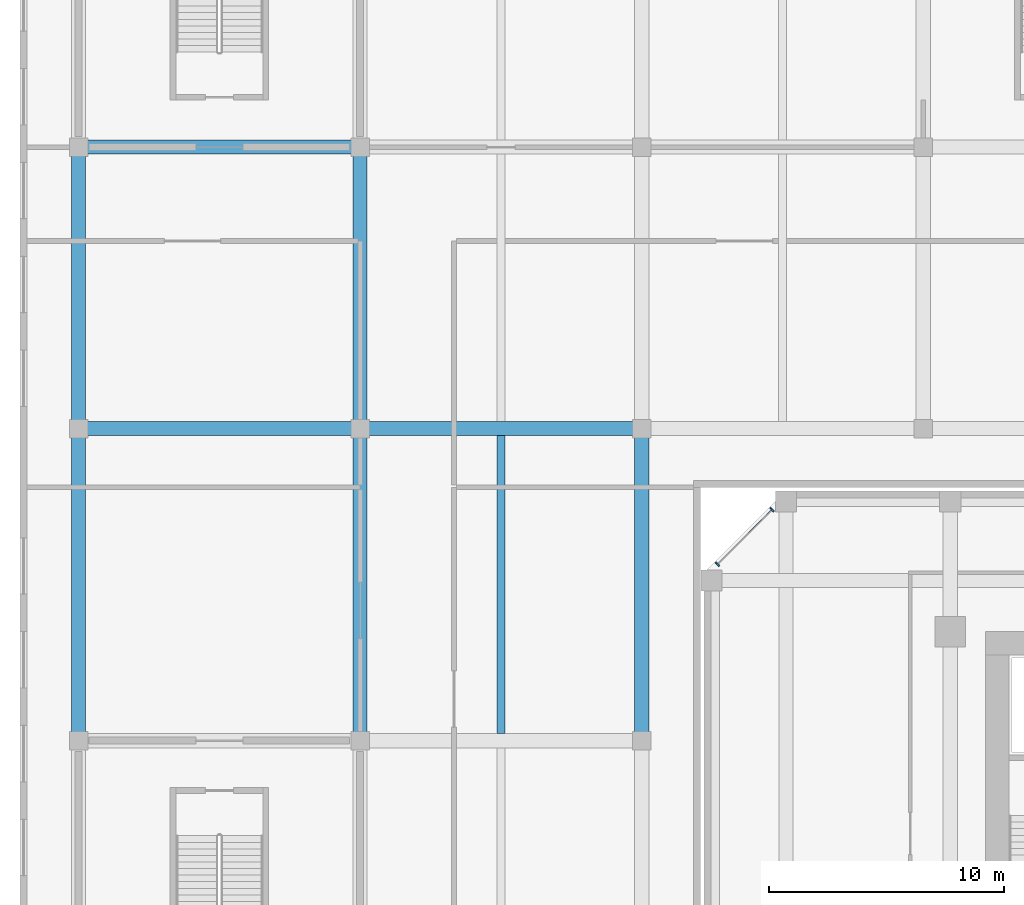
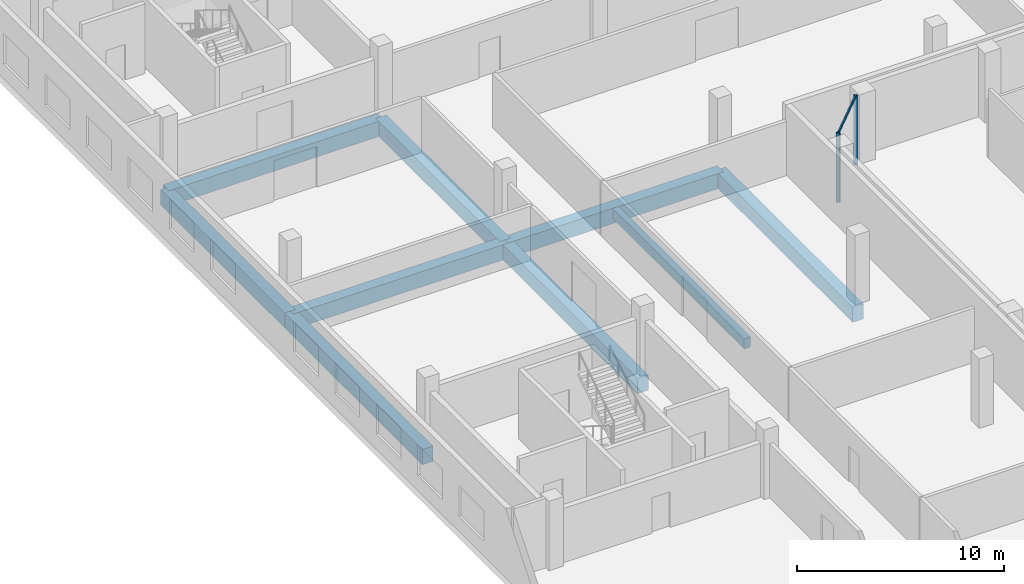
# One storey, part 7 of 38: 9 beams, 3 members, 1 element without a shape of its own.
"""IFC4 building model written with IfcOpenShell, lengths in metres."""

from ifc_helpers import new_model, si_unit, direction, frame, origin, origin_2d, place, context, subcontext, project, spatial, rectangle, extrude, source, transform, mapped, material, material_profile, profile_set, type_object, element, aggregate, save


model = new_model("IFC4")

# Units and contexts
model_context = context("Model", 3, precision=1e-05, world=origin(), true_north=direction((0.0, 1.0)))
body_context = subcontext(model_context, "Body", "Model", "MODEL_VIEW")
ifc_project = project(units=[si_unit("LENGTHUNIT", "METRE"), si_unit("AREAUNIT", "SQUARE_METRE"), si_unit("VOLUMEUNIT", "CUBIC_METRE"), si_unit("PLANEANGLEUNIT", "RADIAN"), si_unit("MASSUNIT", "GRAM", prefix="KILO")], contexts=[model_context])

# Site, building, storey
site_placement = place(None, origin())
site = spatial("IfcSite", under=ifc_project, at=site_placement, CompositionType="ELEMENT")
building_placement = place(site_placement, origin())
building = spatial("IfcBuilding", under=site, at=building_placement, Name="Kilnfold Tower and Market Hall", CompositionType="ELEMENT")
storey_placement = place(building_placement, frame((0.0, 0.0, 9.0)))
storey = spatial("IfcBuildingStorey", under=building, at=storey_placement, Name="L01", CompositionType="ELEMENT", Elevation=9.0)

# Beams
ifc_material_1 = material(Name="Concrete C40/50", Category="concrete")
ifc_material_profile_1 = material_profile(ifc_material_1, rectangle(XDim=0.60009765625, YDim=0.89990234375, at=origin_2d()), Name="RC 600x900")
ifc_profile_set_1 = profile_set([ifc_material_profile_1], Name="Concrete C40/50")
beam_type_1 = type_object("IfcBeamType", Name="HALL GIRDER 600X900", PredefinedType="BEAM", material=ifc_profile_set_1)
beam_1_placement = place(storey_placement, frame((-54.64990234375, 17.35009765625, -0.85009765625), z_axis=(0.0, 1.0, 0.0), x_axis=(-1.0, 0.0, 0.0)))
element("IfcBeam", 1, at=beam_1_placement, inside=storey, type_object=beam_type_1, Name="Beam MG1.11", PredefinedType="BEAM", context=body_context, shape_type="SweptSolid", body=[
    extrude(rectangle(XDim=0.60009765625, YDim=0.89990234375, at=origin_2d()), origin(), (0.0, 0.0, 1.0), 13.2998046875),
])
for number, where, z_axis, x_axis, name in (
    (2, (-54.64990234375, 30.64990234375, -0.85009765625), (0.0, 1.0, 0.0), (-1.0, 0.0, 0.0), "Beam MG1.13"),
    (3, (-54.64990234375, 30.64990234375, -0.85009765625), (1.0, 0.0, 0.0), (0.0, 1.0, 0.0), "Beam MG1.14"),
    (4, (-54.64990234375, 42.64990234375, -0.85009765625), (1.0, 0.0, 0.0), (0.0, 1.0, 0.0), "Beam MG1.16"),
):
    element("IfcBeam", number, at=place(storey_placement, frame(where, z_axis=z_axis, x_axis=x_axis)), inside=storey, type_object=beam_type_1, Name=name, PredefinedType="BEAM", context=body_context, shape_type="SweptSolid", body=[
        extrude(rectangle(XDim=0.60009765625, YDim=0.89990234375, at=origin_2d()), origin(), (0.0, 0.0, 1.0), 12.0),
    ])
beam_2_placement = place(storey_placement, frame((-42.64990234375, 17.35009765625, -0.85009765625), z_axis=(0.0, 1.0, 0.0), x_axis=(-1.0, 0.0, 0.0)))
element("IfcBeam", 5, at=beam_2_placement, inside=storey, type_object=beam_type_1, Name="Beam MG1.28", PredefinedType="BEAM", context=body_context, shape_type="SweptSolid", body=[
    extrude(rectangle(XDim=0.60009765625, YDim=0.89990234375, at=origin_2d()), origin(), (0.0, 0.0, 1.0), 13.2998046875),
])
for number, where, z_axis, x_axis, name in (
    (6, (-42.64990234375, 30.64990234375, -0.85009765625), (0.0, 1.0, 0.0), (-1.0, 0.0, 0.0), "Beam MG1.30"),
    (7, (-42.64990234375, 30.64990234375, -0.85009765625), (1.0, 0.0, 0.0), (0.0, 1.0, 0.0), "Beam MG1.31"),
):
    element("IfcBeam", number, at=place(storey_placement, frame(where, z_axis=z_axis, x_axis=x_axis)), inside=storey, type_object=beam_type_1, Name=name, PredefinedType="BEAM", context=body_context, shape_type="SweptSolid", body=[
        extrude(rectangle(XDim=0.60009765625, YDim=0.89990234375, at=origin_2d()), origin(), (0.0, 0.0, 1.0), 12.0),
    ])
beam_3_placement = place(storey_placement, frame((-30.64990234375, 17.35009765625, -0.85009765625), z_axis=(0.0, 1.0, 0.0), x_axis=(-1.0, 0.0, 0.0)))
element("IfcBeam", 8, at=beam_3_placement, inside=storey, type_object=beam_type_1, Name="Beam MG1.40", PredefinedType="BEAM", context=body_context, shape_type="SweptSolid", body=[
    extrude(rectangle(XDim=0.60009765625, YDim=0.89990234375, at=origin_2d()), origin(), (0.0, 0.0, 1.0), 13.2998046875),
])
ifc_material_2 = material(Name="Concrete C40/50", Category="concrete")
ifc_material_profile_2 = material_profile(ifc_material_2, rectangle(XDim=0.35009765625, YDim=0.60009765625, at=origin_2d()), Name="RC 350x600")
ifc_profile_set_2 = profile_set([ifc_material_profile_2], Name="Concrete C40/50")
beam_type_2 = type_object("IfcBeamType", Name="HALL JOIST 350X600", PredefinedType="BEAM", material=ifc_profile_set_2)
beam_4_placement = place(storey_placement, frame((-36.64990234375, 17.64990234375, -0.699951171875), z_axis=(0.0, 1.0, 0.0), x_axis=(-1.0, 0.0, 0.0)))
element("IfcBeam", 9, at=beam_4_placement, inside=storey, type_object=beam_type_2, Name="Beam MJ1.8", PredefinedType="BEAM", context=body_context, shape_type="SweptSolid", body=[
    extrude(rectangle(XDim=0.35009765625, YDim=0.60009765625, at=origin_2d()), origin(), (0.0, 0.0, 1.0), 12.7001953125),
])

# Curtain wall, members
ifc_material_3 = material(Name="Aluminium and double glazing", Category="aluminium")
curtain_wall_type = type_object("IfcCurtainWallType", Name="CW BASE PODIUM GLAZING", PredefinedType="NOTDEFINED", material=ifc_material_3)
curtain_wall_placement = place(storey_placement, origin())
curtain_wall = element("IfcCurtainWall", 10, at=curtain_wall_placement, inside=storey, type_object=curtain_wall_type, Name="Curtain wall CW4 L01 NW", PredefinedType="NOTDEFINED")
ifc_material_4 = material(Name="Aluminium", Category="aluminium")
ifc_material_profile_3 = material_profile(ifc_material_4, rectangle(XDim=0.070068359375, YDim=0.219970703125, at=origin_2d()), Name="MULLION 70x220")
ifc_profile_set_3 = profile_set([ifc_material_profile_3], Name="Aluminium")
member_type_1 = type_object("IfcMemberType", Name="MULLION 70X220", PredefinedType="MULLION", material=ifc_profile_set_3)
shared_shape_1 = source(origin(), body_context, "Body", "SweptSolid", [
    extrude(rectangle(XDim=0.070068359375, YDim=0.219970703125, at=origin_2d()), origin(), (0.0, 0.0, 1.0), 4.10009765625),
])
member_1_placement = place(storey_placement, frame((-25.09375, 27.194091796875, 0.0), z_axis=(0.0, 0.0, 1.0), x_axis=(-0.707121667181, -0.707091894879, 0.0)))
member_1 = element("IfcMember", 11, at=member_1_placement, type_object=member_type_1, Name="CW4 mullion 1", PredefinedType="MULLION", context=body_context, shape_type="MappedRepresentation", body=[
    mapped(shared_shape_1, transform((0.0, 0.0, 0.0))),
])
member_2_placement = place(storey_placement, frame((-27.419189453125, 24.86865234375, 0.0), z_axis=(0.0, 0.0, 1.0), x_axis=(-0.707121667181, -0.707091894879, 0.0)))
member_2 = element("IfcMember", 12, at=member_2_placement, type_object=member_type_1, Name="CW4 mullion 2", PredefinedType="MULLION", context=body_context, shape_type="MappedRepresentation", body=[
    mapped(shared_shape_1, transform((0.0, 0.0, 0.0))),
])
ifc_material_5 = material(Name="Aluminium", Category="aluminium")
ifc_material_profile_4 = material_profile(ifc_material_5, rectangle(XDim=0.070068359375, YDim=0.159912109375, at=origin_2d()), Name="TRANSOM 70x160")
ifc_profile_set_4 = profile_set([ifc_material_profile_4], Name="Aluminium")
member_type_2 = type_object("IfcMemberType", Name="TRANSOM 70X160", PredefinedType="USERDEFINED", material=ifc_profile_set_4)
shared_shape_2 = source(origin(), body_context, "Body", "SweptSolid", [
    extrude(rectangle(XDim=0.070068359375, YDim=0.159912109375, at=origin_2d()), origin(), (0.0, 0.0, 1.0), 3.218994140625),
])
member_3_placement = place(storey_placement, frame((-25.118408203125, 27.16943359375, 4.06494140625), z_axis=(-0.707106781187, -0.707106781187, 0.0), x_axis=(0.707106781187, -0.707106781187, 0.0)))
member_3 = element("IfcMember", 13, at=member_3_placement, type_object=member_type_2, Name="CW4 transom 1.2", ObjectType="TRANSOM", PredefinedType="USERDEFINED", context=body_context, shape_type="MappedRepresentation", body=[
    mapped(shared_shape_2, transform((0.0, 0.0, 0.0))),
])
aggregate(curtain_wall, [member_1, member_2, member_3])

save(model, "model.ifc")
